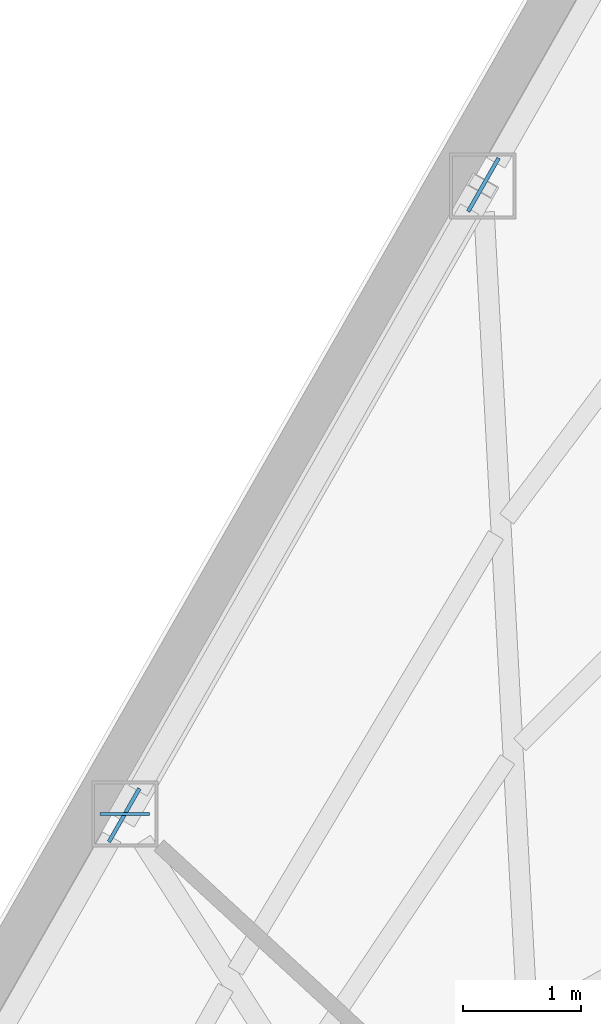
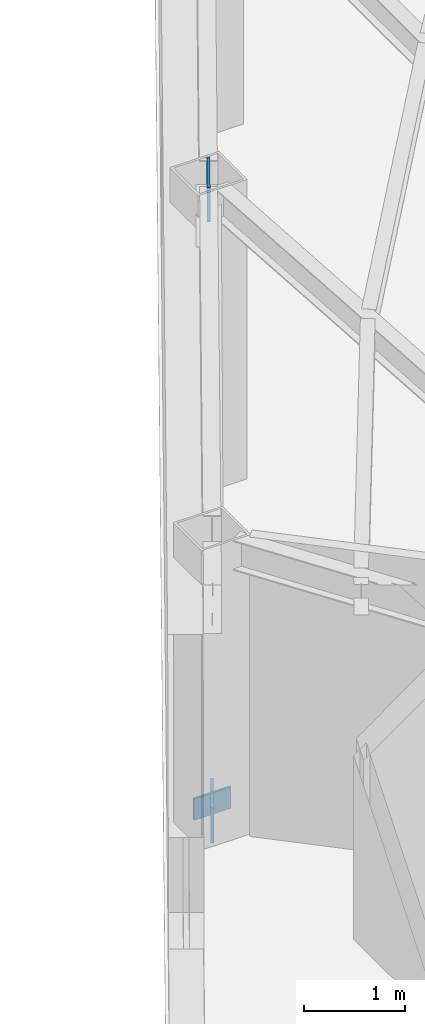
# One storey, part 5 of 11: 3 plates.
"""IFC4 building model written with IfcOpenShell, lengths in metres."""

from ifc_helpers import new_model, si_unit, direction, frame, origin, origin_2d, place, context, subcontext, project, spatial, rectangle, extrude, material, layer, layer_set, type_object, element, save


model = new_model("IFC4")

# Units and contexts
model_context = context("Model", 3, precision=1e-05, world=origin(), true_north=direction((0.0, 1.0)))
body_context = subcontext(model_context, "Body", "Model", "MODEL_VIEW")
ifc_project = project(units=[si_unit("LENGTHUNIT", "METRE"), si_unit("AREAUNIT", "SQUARE_METRE"), si_unit("VOLUMEUNIT", "CUBIC_METRE"), si_unit("PLANEANGLEUNIT", "RADIAN"), si_unit("MASSUNIT", "GRAM", prefix="KILO")], contexts=[model_context])

# Site, building, storey
site_placement = place(None, origin())
site = spatial("IfcSite", under=ifc_project, at=site_placement, CompositionType="ELEMENT")
building_placement = place(site_placement, origin())
building = spatial("IfcBuilding", under=site, at=building_placement, Name="Kavelnor Concourse Tower", CompositionType="ELEMENT")
storey_placement = place(building_placement, frame((0.0, 0.0, 258.75)))
storey = spatial("IfcBuildingStorey", under=building, at=storey_placement, Name="L65", CompositionType="ELEMENT", Elevation=258.75)

# Plates
ifc_material = material(Name="Steel Grade 350", Category="steel")
ifc_layer_1 = layer(ifc_material, 0.031982421875, Name="Steel Grade 350")
ifc_layer_set_1 = layer_set([ifc_layer_1], Name="Steel Grade 350")
plate_type_1 = type_object("IfcPlateType", Name="PL-GUSSET-TUBE-Z1", PredefinedType="USERDEFINED", material=ifc_layer_set_1)
for number, where, z_axis, x_axis, name in (
    (1, (25.760009765625, 27.341796875, 0.010009765625), (0.0, 0.0, 1.0), (0.495155428655, 0.868804409216, 0.0), "L65 Tube Brace Gusset GP3 F0-B2 End Gusset A"),
    (2, (28.798828125, 32.674560546875, 3.197021484375), (0.0, 0.0, 1.0), (0.495155428655, 0.868804409216, 0.0), "L65 Tube Brace Gusset GP3 F0-B2 End Gusset B"),
):
    element("IfcPlate", number, at=place(storey_placement, frame(where, z_axis=z_axis, x_axis=x_axis)), inside=storey, type_object=plate_type_1, Name=name, ObjectType="GUSSET_PLATE", PredefinedType="USERDEFINED", context=body_context, shape_type="SweptSolid", body=[
        extrude(rectangle(XDim=0.52001953125, YDim=0.031982421875, at=origin_2d()), origin(), (0.0, 0.0, 1.0), 0.419921875),
    ])
ifc_layer_2 = layer(ifc_material, 0.02490234375, Name="Steel Grade 350")
ifc_layer_set_2 = layer_set([ifc_layer_2], Name="Steel Grade 350")
plate_type_2 = type_object("IfcPlateType", Name="PL-SPLICE-FLANGE", PredefinedType="SHEET", material=ifc_layer_set_2)
plate_placement = place(storey_placement, frame((25.765869140625, 27.352294921875, 0.169921875), z_axis=(0.0, 0.0, 1.0), x_axis=(1.0, 0.0, 0.0)))
element("IfcPlate", 3, at=plate_placement, inside=storey, type_object=plate_type_2, Name="L65 Column Flange Splice Plate F0-B3", PredefinedType="SHEET", context=body_context, shape_type="SweptSolid", body=[
    extrude(rectangle(XDim=0.419921875, YDim=0.02490234375, at=origin_2d()), origin(), (0.0, 0.0, 1.0), 0.260009765625),
])

save(model, "model.ifc")
